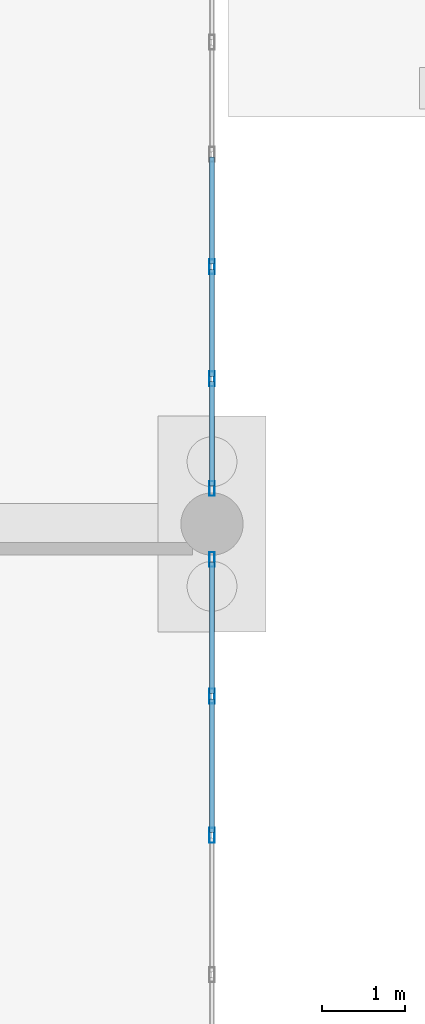
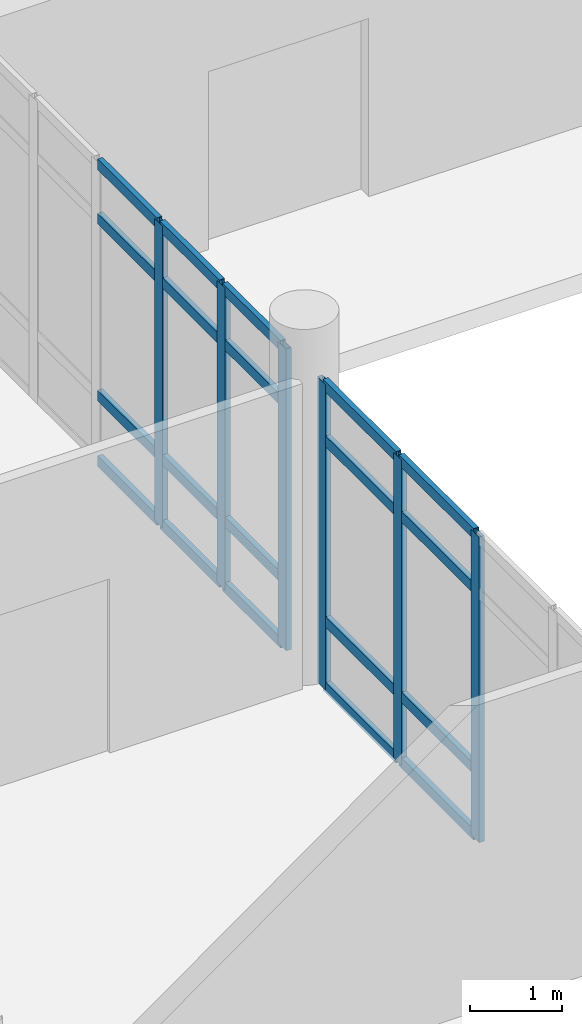
# One storey, part 75 of 173: 26 members, 2 elements without a shape of their own.
"""IFC4 building model written with IfcOpenShell, lengths in metres."""

import ifcopenshell
import ifcopenshell.guid

model = None  # the IFC model being written
_history = None  # IfcOwnerHistory: only IFC2X3 demands one
_inside = {}  # id of a spatial element -> (the spatial element, [elements in it])
_under = {}  # id of a project, library or spatial element -> (it, [spatial elements below it])
_declared = {}  # id of a project -> (the project, [libraries it declares])
_typed = {}  # id of a type object -> (the type object, [elements of that type])
_made_of = {}  # id of a material, layer set ... -> (it, [elements and type objects made of it])


def new_model(schema):
    """Start an empty IFC model of exactly this schema.

    Asked for "IFC4X3", IfcOpenShell would pick the latest addendum, in which some entities
    have other attributes; the version numbers below select the first issue.
    IFC2X3 requires an IfcOwnerHistory on every rooted entity: one is made here for all.
    """
    global model, _history
    if schema == "IFC4X3":
        model = ifcopenshell.file(schema_version=(4, 3, 0, 0))
    else:
        model = ifcopenshell.file(schema=schema)
    _inside.clear()
    _under.clear()
    _declared.clear()
    _typed.clear()
    _made_of.clear()
    _history = None
    if model.schema == "IFC2X3":
        org = make("IfcOrganization", Name="unknown")
        user = make(
            "IfcPersonAndOrganization",
            ThePerson=make("IfcPerson", FamilyName="unknown"),
            TheOrganization=org,
        )
        app = make(
            "IfcApplication",
            ApplicationDeveloper=org,
            Version="unknown",
            ApplicationFullName="unknown",
            ApplicationIdentifier="unknown",
        )
        _history = make(
            "IfcOwnerHistory",
            OwningUser=user,
            OwningApplication=app,
            ChangeAction="ADDED",
            CreationDate=0,
        )
    return model


def make(cls, **values):
    """One entity of the class cls with the attributes given. An attribute that is None is left unset."""
    return model.create_entity(
        cls, **{name: value for name, value in values.items() if value is not None}
    )


def rooted(cls, **values):
    """An entity with a GlobalId (a new one), such as an element, a storey or a relation."""
    return make(cls, GlobalId=ifcopenshell.guid.new(), OwnerHistory=_history, **values)


def si_unit(unit_type, name, prefix=None):
    """IfcSIUnit, for example si_unit("LENGTHUNIT", "METRE", prefix="MILLI")."""
    return make("IfcSIUnit", UnitType=unit_type, Prefix=prefix, Name=name)


def assignment(units):
    """IfcUnitAssignment: the units of a project."""
    return None if units is None else make("IfcUnitAssignment", Units=units)


def point(xyz):
    """IfcCartesianPoint."""
    return None if xyz is None else make("IfcCartesianPoint", Coordinates=xyz)


def direction(xyz):
    """IfcDirection."""
    return None if xyz is None else make("IfcDirection", DirectionRatios=xyz)


def frame(location, z_axis=None, x_axis=None):
    """IfcAxis2Placement3D, a coordinate frame: its origin and axes. An axis left out is left unset."""
    return make(
        "IfcAxis2Placement3D",
        Location=point(location),
        Axis=direction(z_axis),
        RefDirection=direction(x_axis),
    )


def frame_2d(location, x_axis=None):
    """IfcAxis2Placement2D, a coordinate frame in the plane: its origin and x axis."""
    return make(
        "IfcAxis2Placement2D", Location=point(location), RefDirection=direction(x_axis)
    )


def origin():
    """The frame at (0, 0, 0) with its axes left unset."""
    return frame((0.0, 0.0, 0.0))


def origin_2d():
    """The frame at (0, 0) in the plane with its x axis left unset."""
    return frame_2d((0.0, 0.0))


def place(relative_to, where):
    """IfcLocalPlacement: puts the frame where relative to a parent placement (None: the world)."""
    return make(
        "IfcLocalPlacement", PlacementRelTo=relative_to, RelativePlacement=where
    )


def context(
    kind, dimensions, precision=None, world=None, true_north=None, identifier=None
):
    """IfcGeometricRepresentationContext, for example the 3D "Model" context."""
    return make(
        "IfcGeometricRepresentationContext",
        ContextIdentifier=identifier,
        ContextType=kind,
        CoordinateSpaceDimension=dimensions,
        Precision=precision,
        WorldCoordinateSystem=world,
        TrueNorth=true_north,
    )


def subcontext(parent, identifier, kind, view, scale=None):
    """IfcGeometricRepresentationSubContext, for example "Body" below "Model"."""
    return make(
        "IfcGeometricRepresentationSubContext",
        ContextIdentifier=identifier,
        ContextType=kind,
        ParentContext=parent,
        TargetScale=scale,
        TargetView=view,
    )


def project(units=None, contexts=None):
    """IfcProject with its units and contexts."""
    return rooted(
        "IfcProject",
        Name="project",
        RepresentationContexts=contexts,
        UnitsInContext=assignment(units),
    )


def spatial(cls, under=None, at=None, **own):
    """A site, building, storey or space (cls), placed at a placement, below another one or the project."""
    s = rooted(cls, ObjectPlacement=at, **own)
    if under is not None:
        _under.setdefault(under.id(), (under, []))[1].append(s)
    return s


def profile(cls, at=None, kind="AREA", **sizes):
    """A parametric profile (cls). Its sizes go by their IFC names, for example OverallWidth=200.0."""
    return make(cls, ProfileType=kind, Position=at, **sizes)


def hollow_rectangle(**sizes):
    """IfcRectangleHollowProfileDef."""
    return profile("IfcRectangleHollowProfileDef", **sizes)


def extrude(swept, where, along, depth):
    """IfcExtrudedAreaSolid: the profile swept, set in the frame where, extruded along a direction by depth."""
    return make(
        "IfcExtrudedAreaSolid",
        SweptArea=swept,
        Position=where,
        ExtrudedDirection=direction(along),
        Depth=depth,
    )


def shape(context_of_items, identifier, shape_type, items):
    """IfcShapeRepresentation: the items that make up one representation, for example the "Body"."""
    return make(
        "IfcShapeRepresentation",
        ContextOfItems=context_of_items,
        RepresentationIdentifier=identifier,
        RepresentationType=shape_type,
        Items=items,
    )


def material(Name=None, Category=None):
    """IfcMaterial."""
    return make("IfcMaterial", Name=Name, Category=Category)


def layer(
    of_material, thickness, ventilated=None, Name=None, Category=None, Priority=None
):
    """IfcMaterialLayer: one layer of a wall or slab, of a material (None: an air gap)."""
    return make(
        "IfcMaterialLayer",
        Material=of_material,
        LayerThickness=thickness,
        IsVentilated=ventilated,
        Name=Name,
        Category=Category,
        Priority=Priority,
    )


def layer_set(layers, Name=None):
    """IfcMaterialLayerSet."""
    return make("IfcMaterialLayerSet", MaterialLayers=layers, LayerSetName=Name)


def material_profile(
    of_material, cross_section, Name=None, Category=None, Priority=None
):
    """IfcMaterialProfile: a cross section and its material."""
    return make(
        "IfcMaterialProfile",
        Name=Name,
        Material=of_material,
        Profile=cross_section,
        Priority=Priority,
        Category=Category,
    )


def profile_set(profiles, Name=None, composite=None):
    """IfcMaterialProfileSet."""
    return make(
        "IfcMaterialProfileSet",
        Name=Name,
        MaterialProfiles=profiles,
        CompositeProfile=composite,
    )


def made_of(thing, what):
    """Note that an element or type object is made of a material, layer set ...; save() writes the relation."""
    if what is not None:
        _made_of.setdefault(what.id(), (what, []))[1].append(thing)
    return thing


def type_object(cls, material=None, **own):
    """A type object (cls), such as IfcWallType, which elements share."""
    return made_of(rooted(cls, **own), material)


def element(
    cls,
    number,
    at=None,
    inside=None,
    cuts=None,
    type_object=None,
    material=None,
    context=None,
    identifier="Body",
    shape_type=None,
    held_by="IfcProductDefinitionShape",
    body=None,
    shapes=None,
    **own,
):
    """One element of the class cls, such as IfcWall. Its Tag is "e" and its number.

    at: its placement. inside: the storey or other place that contains it. cuts: it is an
    opening in that element (IfcRelVoidsElement). A single representation is given by context,
    identifier, shape_type and body (its items); several are given by shapes. held_by: the class
    of the entity that holds the representations. save() writes the other relations.
    """
    e = rooted(cls, Tag="e%d" % number, ObjectPlacement=at, **own)
    if body is not None:
        shapes = [shape(context, identifier, shape_type, body)]
    if shapes is not None:
        e.Representation = make(held_by, Representations=shapes)
    if inside is not None:
        _inside.setdefault(inside.id(), (inside, []))[1].append(e)
    if cuts is not None:
        rooted(
            "IfcRelVoidsElement", RelatingBuildingElement=cuts, RelatedOpeningElement=e
        )
    if type_object is not None:
        _typed.setdefault(type_object.id(), (type_object, []))[1].append(e)
    return made_of(e, material)


def aggregate(whole, parts):
    """IfcRelAggregates: a whole, such as a stair, and the parts it consists of."""
    return rooted("IfcRelAggregates", RelatingObject=whole, RelatedObjects=parts)


def save(model, path):
    """Write the relations noted so far, then the file.

    IfcRelAggregates (storeys below a building ...), IfcRelContainedInSpatialStructure (elements
    in a storey), IfcRelDefinesByType, IfcRelAssociatesMaterial and IfcRelDeclares: one each for
    every whole, place, type object, material and project.
    """
    for whole, parts in _under.values():
        aggregate(whole, parts)
    for where, things in _inside.values():
        rooted(
            "IfcRelContainedInSpatialStructure",
            RelatedElements=things,
            RelatingStructure=where,
        )
    for kind, things in _typed.values():
        rooted("IfcRelDefinesByType", RelatedObjects=things, RelatingType=kind)
    for what, things in _made_of.values():
        rooted("IfcRelAssociatesMaterial", RelatedObjects=things, RelatingMaterial=what)
    for by, libraries in _declared.values():
        rooted("IfcRelDeclares", RelatingContext=by, RelatedDefinitions=libraries)
    model.write(path)


model = new_model("IFC4")

# Units and contexts
model_context = context("Model", 3, precision=1e-05, world=origin(), true_north=direction((0.0, 1.0)))
body_context = subcontext(model_context, "Body", "Model", "MODEL_VIEW")
ifc_project = project(units=[si_unit("LENGTHUNIT", "METRE"), si_unit("AREAUNIT", "SQUARE_METRE"), si_unit("VOLUMEUNIT", "CUBIC_METRE"), si_unit("PLANEANGLEUNIT", "RADIAN"), si_unit("MASSUNIT", "GRAM", prefix="KILO")], contexts=[model_context])

# Site, building, storey
site_placement = place(None, origin())
site = spatial("IfcSite", under=ifc_project, at=site_placement, CompositionType="ELEMENT")
building_placement = place(site_placement, origin())
building = spatial("IfcBuilding", under=site, at=building_placement, Name="Mawjan Specialist Oncology Clinic", CompositionType="ELEMENT")
storey_placement = place(building_placement, origin())
storey = spatial("IfcBuildingStorey", under=building, at=storey_placement, Name="L00", CompositionType="ELEMENT", Elevation=0.0)

# Curtain wall, members
ifc_material_1 = material(Name="Unitised spectrally selective aluminium curtain wall", Category="aluminium")
ifc_layer_1 = layer(ifc_material_1, 0.179931640625, Name="Unitised spectrally selective aluminium curtain wall", Category="aluminium")
ifc_layer_set_1 = layer_set([ifc_layer_1], Name="Unitised spectrally selective aluminium curtain wall")
curtain_wall_type_1 = type_object("IfcCurtainWallType", Name="CW-28", PredefinedType="NOTDEFINED", material=ifc_layer_set_1)
curtain_wall_1_placement = place(storey_placement, origin())
curtain_wall_1 = element("IfcCurtainWall", 1, at=curtain_wall_1_placement, inside=storey, type_object=curtain_wall_type_1, Name="L00 Unitised Curtain Wall CW-L00-067", PredefinedType="NOTDEFINED")
ifc_material_2 = material(Name="Thermally broken aluminium 6063-T6", Category="aluminium")
ifc_material_profile_1 = material_profile(ifc_material_2, hollow_rectangle(XDim=0.06494140625, YDim=0.179931640625, WallThickness=0.00390625, at=origin_2d()), Name="ALU MULLION 180x65x4", Category="aluminium")
ifc_profile_set_1 = profile_set([ifc_material_profile_1], Name="Thermally broken aluminium 6063-T6")
member_type_1 = type_object("IfcMemberType", Name="CW-M180", PredefinedType="MULLION", material=ifc_profile_set_1)
member_1_placement = place(storey_placement, frame((108.0, 71.39892578125, 0.0), z_axis=(0.0, 0.0, 1.0), x_axis=(1.0, 0.0, 0.0)))
member_1 = element("IfcMember", 2, at=member_1_placement, type_object=member_type_1, Name="CW-28 mullion 4", PredefinedType="MULLION", context=body_context, shape_type="SweptSolid", body=[
    extrude(hollow_rectangle(XDim=0.06494140625, YDim=0.179931640625, WallThickness=0.00390625, at=origin_2d()), origin(), (0.0, 0.0, 1.0), 3.985107421875),
])
member_2_placement = place(storey_placement, frame((108.0, 70.047119140625, 0.0), z_axis=(0.0, 0.0, 1.0), x_axis=(1.0, 0.0, 0.0)))
member_2 = element("IfcMember", 3, at=member_2_placement, type_object=member_type_1, Name="CW-28 mullion 5", PredefinedType="MULLION", context=body_context, shape_type="SweptSolid", body=[
    extrude(hollow_rectangle(XDim=0.06494140625, YDim=0.179931640625, WallThickness=0.00390625, at=origin_2d()), origin(), (0.0, 0.0, 1.0), 3.985107421875),
])
member_3_placement = place(storey_placement, frame((108.0, 68.7275390625, 0.0), z_axis=(0.0, 0.0, 1.0), x_axis=(1.0, 0.0, 0.0)))
member_3 = element("IfcMember", 4, at=member_3_placement, type_object=member_type_1, Name="CW-28 mullion 6", PredefinedType="MULLION", context=body_context, shape_type="SweptSolid", body=[
    extrude(hollow_rectangle(XDim=0.06494140625, YDim=0.179931640625, WallThickness=0.00390625, at=origin_2d()), origin(), (0.0, 0.0, 1.0), 3.985107421875),
])

ifc_material_3 = material(Name="Unitised spectrally selective aluminium curtain wall", Category="aluminium")
ifc_layer_2 = layer(ifc_material_3, 0.179931640625, Name="Unitised spectrally selective aluminium curtain wall", Category="aluminium")
ifc_layer_set_2 = layer_set([ifc_layer_2], Name="Unitised spectrally selective aluminium curtain wall")
curtain_wall_type_2 = type_object("IfcCurtainWallType", Name="CW-02", PredefinedType="NOTDEFINED", material=ifc_layer_set_2)
curtain_wall_2_placement = place(storey_placement, origin())
curtain_wall_2 = element("IfcCurtainWall", 5, at=curtain_wall_2_placement, inside=storey, type_object=curtain_wall_type_2, Name="L00 Unitised Curtain Wall CW-L00-068", PredefinedType="NOTDEFINED")
member_4_placement = place(storey_placement, frame((108.0, 67.87255859375, 0.0), z_axis=(0.0, 0.0, 1.0), x_axis=(1.0, 0.0, 0.0)))
member_4 = element("IfcMember", 6, at=member_4_placement, type_object=member_type_1, Name="CW-02 mullion 1", PredefinedType="MULLION", context=body_context, shape_type="SweptSolid", body=[
    extrude(hollow_rectangle(XDim=0.06494140625, YDim=0.179931640625, WallThickness=0.00390625, at=origin_2d()), origin(), (0.0, 0.0, 1.0), 4.034912109375),
])
member_5_placement = place(storey_placement, frame((108.0, 66.2275390625, 0.0), z_axis=(0.0, 0.0, 1.0), x_axis=(1.0, 0.0, 0.0)))
member_5 = element("IfcMember", 7, at=member_5_placement, type_object=member_type_1, Name="CW-02 mullion 2", PredefinedType="MULLION", context=body_context, shape_type="SweptSolid", body=[
    extrude(hollow_rectangle(XDim=0.06494140625, YDim=0.179931640625, WallThickness=0.00390625, at=origin_2d()), origin(), (0.0, 0.0, 1.0), 4.034912109375),
])
member_6_placement = place(storey_placement, frame((108.0, 64.550048828125, 0.0), z_axis=(0.0, 0.0, 1.0), x_axis=(1.0, 0.0, 0.0)))
member_6 = element("IfcMember", 8, at=member_6_placement, type_object=member_type_1, Name="CW-02 mullion 3", PredefinedType="MULLION", context=body_context, shape_type="SweptSolid", body=[
    extrude(hollow_rectangle(XDim=0.06494140625, YDim=0.179931640625, WallThickness=0.00390625, at=origin_2d()), origin(), (0.0, 0.0, 1.0), 4.034912109375),
])

# Member
ifc_material_4 = material(Name="Thermally broken aluminium 6063-T6", Category="aluminium")
ifc_material_profile_2 = material_profile(ifc_material_4, hollow_rectangle(XDim=0.06494140625, YDim=0.139892578125, WallThickness=0.00390625, at=origin_2d()), Name="ALU TRANSOM 140x65x4", Category="aluminium")
ifc_profile_set_2 = profile_set([ifc_material_profile_2], Name="Thermally broken aluminium 6063-T6")
member_type_2 = type_object("IfcMemberType", Name="CW-T140", PredefinedType="USERDEFINED", material=ifc_profile_set_2)
member_7_placement = place(storey_placement, frame((108.0, 72.718505859375, 0.032470703125), z_axis=(0.0, -1.0, 0.0), x_axis=(1.0, 0.0, 0.0)))
member_7 = element("IfcMember", 9, at=member_7_placement, type_object=member_type_2, Name="CW-28 transom 3.1", ObjectType="TRANSOM", PredefinedType="USERDEFINED", context=body_context, shape_type="SweptSolid", body=[
    extrude(hollow_rectangle(XDim=0.06494140625, YDim=0.139892578125, WallThickness=0.00390625, at=origin_2d()), origin(), (0.0, 0.0, 1.0), 1.287109375),
])

member_8_placement = place(storey_placement, frame((108.0, 72.718505859375, 0.89990234375), z_axis=(0.0, -1.0, 0.0), x_axis=(1.0, 0.0, 0.0)))
member_8 = element("IfcMember", 10, at=member_8_placement, type_object=member_type_2, Name="CW-28 transom 3.2", ObjectType="TRANSOM", PredefinedType="USERDEFINED", context=body_context, shape_type="SweptSolid", body=[
    extrude(hollow_rectangle(XDim=0.06494140625, YDim=0.139892578125, WallThickness=0.00390625, at=origin_2d()), origin(), (0.0, 0.0, 1.0), 1.287109375),
])

member_9_placement = place(storey_placement, frame((108.0, 72.718505859375, 3.235107421875), z_axis=(0.0, -1.0, 0.0), x_axis=(1.0, 0.0, 0.0)))
member_9 = element("IfcMember", 11, at=member_9_placement, type_object=member_type_2, Name="CW-28 transom 3.3", ObjectType="TRANSOM", PredefinedType="USERDEFINED", context=body_context, shape_type="SweptSolid", body=[
    extrude(hollow_rectangle(XDim=0.06494140625, YDim=0.139892578125, WallThickness=0.00390625, at=origin_2d()), origin(), (0.0, 0.0, 1.0), 1.287109375),
])

member_10_placement = place(storey_placement, frame((108.0, 72.718505859375, 3.952392578125), z_axis=(0.0, -1.0, 0.0), x_axis=(1.0, 0.0, 0.0)))
member_10 = element("IfcMember", 12, at=member_10_placement, type_object=member_type_2, Name="CW-28 transom 3.4", ObjectType="TRANSOM", PredefinedType="USERDEFINED", context=body_context, shape_type="SweptSolid", body=[
    extrude(hollow_rectangle(XDim=0.06494140625, YDim=0.139892578125, WallThickness=0.00390625, at=origin_2d()), origin(), (0.0, 0.0, 1.0), 1.287109375),
])

member_11_placement = place(storey_placement, frame((108.0, 71.366455078125, 0.032470703125), z_axis=(0.0, -1.0, 0.0), x_axis=(1.0, 0.0, 0.0)))
member_11 = element("IfcMember", 13, at=member_11_placement, type_object=member_type_2, Name="CW-28 transom 4.1", ObjectType="TRANSOM", PredefinedType="USERDEFINED", context=body_context, shape_type="SweptSolid", body=[
    extrude(hollow_rectangle(XDim=0.06494140625, YDim=0.139892578125, WallThickness=0.00390625, at=origin_2d()), origin(), (0.0, 0.0, 1.0), 1.286865234375),
])

member_12_placement = place(storey_placement, frame((108.0, 71.366455078125, 0.89990234375), z_axis=(0.0, -1.0, 0.0), x_axis=(1.0, 0.0, 0.0)))
member_12 = element("IfcMember", 14, at=member_12_placement, type_object=member_type_2, Name="CW-28 transom 4.2", ObjectType="TRANSOM", PredefinedType="USERDEFINED", context=body_context, shape_type="SweptSolid", body=[
    extrude(hollow_rectangle(XDim=0.06494140625, YDim=0.139892578125, WallThickness=0.00390625, at=origin_2d()), origin(), (0.0, 0.0, 1.0), 1.286865234375),
])

member_13_placement = place(storey_placement, frame((108.0, 71.366455078125, 3.235107421875), z_axis=(0.0, -1.0, 0.0), x_axis=(1.0, 0.0, 0.0)))
member_13 = element("IfcMember", 15, at=member_13_placement, type_object=member_type_2, Name="CW-28 transom 4.3", ObjectType="TRANSOM", PredefinedType="USERDEFINED", context=body_context, shape_type="SweptSolid", body=[
    extrude(hollow_rectangle(XDim=0.06494140625, YDim=0.139892578125, WallThickness=0.00390625, at=origin_2d()), origin(), (0.0, 0.0, 1.0), 1.286865234375),
])

member_14_placement = place(storey_placement, frame((108.0, 71.366455078125, 3.952392578125), z_axis=(0.0, -1.0, 0.0), x_axis=(1.0, 0.0, 0.0)))
member_14 = element("IfcMember", 16, at=member_14_placement, type_object=member_type_2, Name="CW-28 transom 4.4", ObjectType="TRANSOM", PredefinedType="USERDEFINED", context=body_context, shape_type="SweptSolid", body=[
    extrude(hollow_rectangle(XDim=0.06494140625, YDim=0.139892578125, WallThickness=0.00390625, at=origin_2d()), origin(), (0.0, 0.0, 1.0), 1.286865234375),
])

member_15_placement = place(storey_placement, frame((108.0, 70.014404296875, 0.032470703125), z_axis=(0.0, -1.0, 0.0), x_axis=(1.0, 0.0, 0.0)))
member_15 = element("IfcMember", 17, at=member_15_placement, type_object=member_type_2, Name="CW-28 transom 5.1", ObjectType="TRANSOM", PredefinedType="USERDEFINED", context=body_context, shape_type="SweptSolid", body=[
    extrude(hollow_rectangle(XDim=0.06494140625, YDim=0.139892578125, WallThickness=0.00390625, at=origin_2d()), origin(), (0.0, 0.0, 1.0), 1.25439453125),
])

member_16_placement = place(storey_placement, frame((108.0, 70.014404296875, 0.89990234375), z_axis=(0.0, -1.0, 0.0), x_axis=(1.0, 0.0, 0.0)))
member_16 = element("IfcMember", 18, at=member_16_placement, type_object=member_type_2, Name="CW-28 transom 5.2", ObjectType="TRANSOM", PredefinedType="USERDEFINED", context=body_context, shape_type="SweptSolid", body=[
    extrude(hollow_rectangle(XDim=0.06494140625, YDim=0.139892578125, WallThickness=0.00390625, at=origin_2d()), origin(), (0.0, 0.0, 1.0), 1.25439453125),
])

member_17_placement = place(storey_placement, frame((108.0, 70.014404296875, 3.235107421875), z_axis=(0.0, -1.0, 0.0), x_axis=(1.0, 0.0, 0.0)))
member_17 = element("IfcMember", 19, at=member_17_placement, type_object=member_type_2, Name="CW-28 transom 5.3", ObjectType="TRANSOM", PredefinedType="USERDEFINED", context=body_context, shape_type="SweptSolid", body=[
    extrude(hollow_rectangle(XDim=0.06494140625, YDim=0.139892578125, WallThickness=0.00390625, at=origin_2d()), origin(), (0.0, 0.0, 1.0), 1.25439453125),
])

member_18_placement = place(storey_placement, frame((108.0, 70.014404296875, 3.952392578125), z_axis=(0.0, -1.0, 0.0), x_axis=(1.0, 0.0, 0.0)))
member_18 = element("IfcMember", 20, at=member_18_placement, type_object=member_type_2, Name="CW-28 transom 5.4", ObjectType="TRANSOM", PredefinedType="USERDEFINED", context=body_context, shape_type="SweptSolid", body=[
    extrude(hollow_rectangle(XDim=0.06494140625, YDim=0.139892578125, WallThickness=0.00390625, at=origin_2d()), origin(), (0.0, 0.0, 1.0), 1.25439453125),
])

aggregate(curtain_wall_1, [member_1, member_2, member_3, member_7, member_8, member_9, member_10, member_11, member_12, member_13, member_14, member_15, member_16, member_17, member_18])

member_19_placement = place(storey_placement, frame((108.0, 67.840087890625, 0.032470703125), z_axis=(0.0, -1.0, 0.0), x_axis=(1.0, 0.0, 0.0)))
member_19 = element("IfcMember", 21, at=member_19_placement, type_object=member_type_2, Name="CW-02 transom 1.1", ObjectType="TRANSOM", PredefinedType="USERDEFINED", context=body_context, shape_type="SweptSolid", body=[
    extrude(hollow_rectangle(XDim=0.06494140625, YDim=0.139892578125, WallThickness=0.00390625, at=origin_2d()), origin(), (0.0, 0.0, 1.0), 1.580078125),
])

member_20_placement = place(storey_placement, frame((108.0, 67.840087890625, 0.89990234375), z_axis=(0.0, -1.0, 0.0), x_axis=(1.0, 0.0, 0.0)))
member_20 = element("IfcMember", 22, at=member_20_placement, type_object=member_type_2, Name="CW-02 transom 1.2", ObjectType="TRANSOM", PredefinedType="USERDEFINED", context=body_context, shape_type="SweptSolid", body=[
    extrude(hollow_rectangle(XDim=0.06494140625, YDim=0.139892578125, WallThickness=0.00390625, at=origin_2d()), origin(), (0.0, 0.0, 1.0), 1.580078125),
])

member_21_placement = place(storey_placement, frame((108.0, 67.840087890625, 3.284912109375), z_axis=(0.0, -1.0, 0.0), x_axis=(1.0, 0.0, 0.0)))
member_21 = element("IfcMember", 23, at=member_21_placement, type_object=member_type_2, Name="CW-02 transom 1.3", ObjectType="TRANSOM", PredefinedType="USERDEFINED", context=body_context, shape_type="SweptSolid", body=[
    extrude(hollow_rectangle(XDim=0.06494140625, YDim=0.139892578125, WallThickness=0.00390625, at=origin_2d()), origin(), (0.0, 0.0, 1.0), 1.580078125),
])

member_22_placement = place(storey_placement, frame((108.0, 67.840087890625, 4.00244140625), z_axis=(0.0, -1.0, 0.0), x_axis=(1.0, 0.0, 0.0)))
member_22 = element("IfcMember", 24, at=member_22_placement, type_object=member_type_2, Name="CW-02 transom 1.4", ObjectType="TRANSOM", PredefinedType="USERDEFINED", context=body_context, shape_type="SweptSolid", body=[
    extrude(hollow_rectangle(XDim=0.06494140625, YDim=0.139892578125, WallThickness=0.00390625, at=origin_2d()), origin(), (0.0, 0.0, 1.0), 1.580078125),
])

member_23_placement = place(storey_placement, frame((108.0, 66.195068359375, 0.032470703125), z_axis=(0.0, -1.0, 0.0), x_axis=(1.0, 0.0, 0.0)))
member_23 = element("IfcMember", 25, at=member_23_placement, type_object=member_type_2, Name="CW-02 transom 2.1", ObjectType="TRANSOM", PredefinedType="USERDEFINED", context=body_context, shape_type="SweptSolid", body=[
    extrude(hollow_rectangle(XDim=0.06494140625, YDim=0.139892578125, WallThickness=0.00390625, at=origin_2d()), origin(), (0.0, 0.0, 1.0), 1.612548828125),
])

member_24_placement = place(storey_placement, frame((108.0, 66.195068359375, 0.89990234375), z_axis=(0.0, -1.0, 0.0), x_axis=(1.0, 0.0, 0.0)))
member_24 = element("IfcMember", 26, at=member_24_placement, type_object=member_type_2, Name="CW-02 transom 2.2", ObjectType="TRANSOM", PredefinedType="USERDEFINED", context=body_context, shape_type="SweptSolid", body=[
    extrude(hollow_rectangle(XDim=0.06494140625, YDim=0.139892578125, WallThickness=0.00390625, at=origin_2d()), origin(), (0.0, 0.0, 1.0), 1.612548828125),
])

member_25_placement = place(storey_placement, frame((108.0, 66.195068359375, 3.284912109375), z_axis=(0.0, -1.0, 0.0), x_axis=(1.0, 0.0, 0.0)))
member_25 = element("IfcMember", 27, at=member_25_placement, type_object=member_type_2, Name="CW-02 transom 2.3", ObjectType="TRANSOM", PredefinedType="USERDEFINED", context=body_context, shape_type="SweptSolid", body=[
    extrude(hollow_rectangle(XDim=0.06494140625, YDim=0.139892578125, WallThickness=0.00390625, at=origin_2d()), origin(), (0.0, 0.0, 1.0), 1.612548828125),
])

member_26_placement = place(storey_placement, frame((108.0, 66.195068359375, 4.00244140625), z_axis=(0.0, -1.0, 0.0), x_axis=(1.0, 0.0, 0.0)))
member_26 = element("IfcMember", 28, at=member_26_placement, type_object=member_type_2, Name="CW-02 transom 2.4", ObjectType="TRANSOM", PredefinedType="USERDEFINED", context=body_context, shape_type="SweptSolid", body=[
    extrude(hollow_rectangle(XDim=0.06494140625, YDim=0.139892578125, WallThickness=0.00390625, at=origin_2d()), origin(), (0.0, 0.0, 1.0), 1.612548828125),
])

aggregate(curtain_wall_2, [member_4, member_5, member_6, member_19, member_20, member_21, member_22, member_23, member_24, member_25, member_26])

save(model, "model.ifc")
